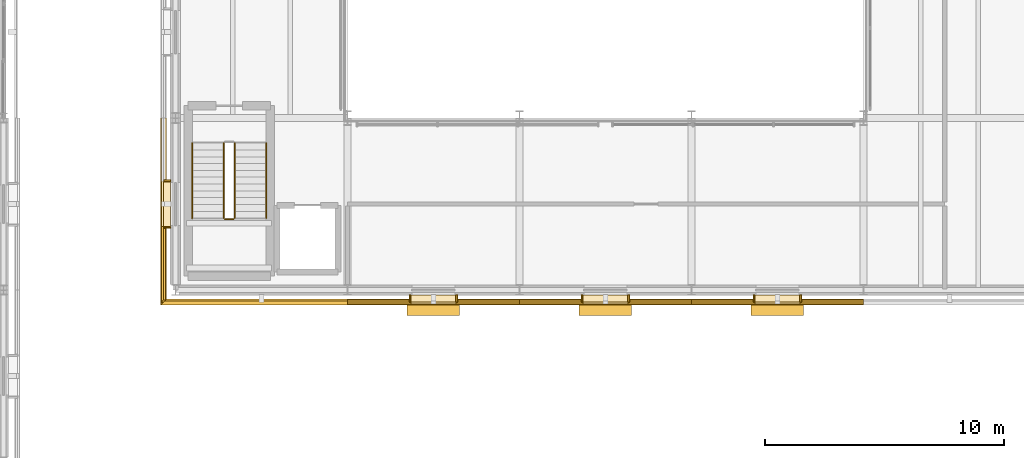
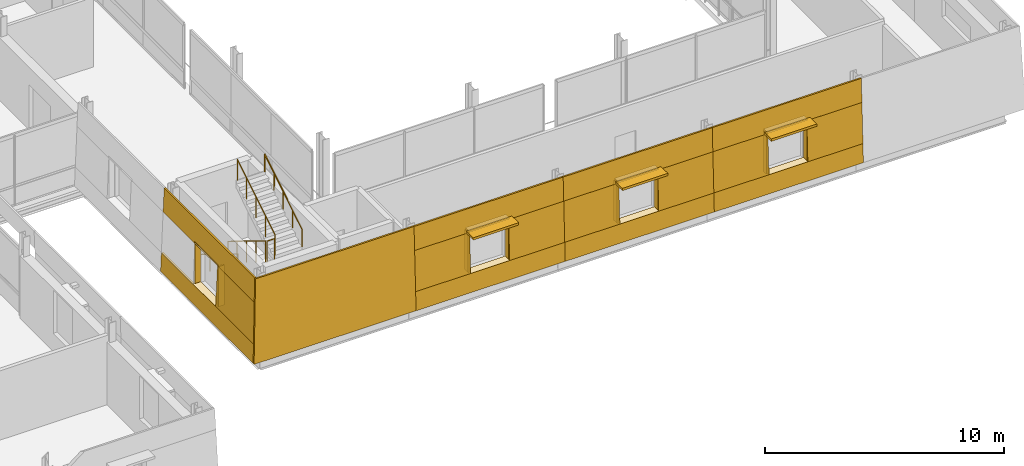
# One storey, part 98 of 115: 32 coverings, 5 railings, 3 shading devices.
"""IFC4 building model written with IfcOpenShell, lengths in metres."""

from ifc_helpers import new_model, si_unit, direction, frame, origin, origin_2d, place, context, subcontext, project, spatial, polyline, rectangle, circle, outline, extrude, material, layer, layer_set, type_object, element, save


model = new_model("IFC4")

# Units and contexts
model_context = context("Model", 3, precision=1e-05, world=origin(), true_north=direction((0.0, 1.0)))
body_context = subcontext(model_context, "Body", "Model", "MODEL_VIEW")
ifc_project = project(units=[si_unit("LENGTHUNIT", "METRE"), si_unit("AREAUNIT", "SQUARE_METRE"), si_unit("VOLUMEUNIT", "CUBIC_METRE"), si_unit("PLANEANGLEUNIT", "RADIAN"), si_unit("MASSUNIT", "GRAM", prefix="KILO")], contexts=[model_context])

# Site, building, storey
site_placement = place(None, origin())
site = spatial("IfcSite", under=ifc_project, at=site_placement, CompositionType="ELEMENT")
building_placement = place(site_placement, origin())
building = spatial("IfcBuilding", under=site, at=building_placement, Name="Narikvali Park Central Library", CompositionType="ELEMENT")
storey_placement = place(building_placement, frame((0.0, 0.0, 10.199951171875)))
storey = spatial("IfcBuildingStorey", under=building, at=storey_placement, Name="L02", CompositionType="ELEMENT", Elevation=10.199951171875)

# Coverings
ifc_material_1 = material(Name="White Honed Limestone Cladding", Category="masonry")
ifc_layer_1 = layer(ifc_material_1, 0.0849609375, Name="White Honed Limestone Cladding")
ifc_layer_set_1 = layer_set([ifc_layer_1], Name="White Honed Limestone Cladding")
covering_type_1 = type_object("IfcCoveringType", Name="Battered White Limestone Facade Cladding Panel", PredefinedType="CLADDING", material=ifc_layer_set_1)
covering_1_placement = place(storey_placement, frame((64.177490234375, 56.977294921875, 0.0), z_axis=(0.0, -0.999161325874, 0.040946854313), x_axis=(1.0, 0.0, 0.0)))
element("IfcCovering", 1, at=covering_1_placement, inside=storey, type_object=covering_type_1, Name="V1 L02 S Battered Limestone Panel B01", PredefinedType="CLADDING", context=body_context, shape_type="SweptSolid", body=[
    extrude(outline(polyline([(0.0, 0.0), (7.822509765625, 0.0), (7.822509765625, 4.203476518871453), (0.171875, 4.203476518871453), (0.0, 0.0)])), origin(), (0.0, 0.0, -1.0), 0.0849609375),
])
covering_2_placement = place(storey_placement, frame((72.0, 56.977294921875, 0.0), z_axis=(0.0, -0.999155621486, 0.041085813271), x_axis=(1.0, 0.0, 0.0)))
element("IfcCovering", 2, at=covering_2_placement, inside=storey, type_object=covering_type_1, Name="V1 L02 S Battered Limestone Spandrel B02", PredefinedType="CLADDING", context=body_context, shape_type="SweptSolid", body=[
    extrude(outline(polyline([(0.0, 0.0), (7.199951171875, 0.0), (7.199951171875, 0.9507539680973915), (0.0, 0.9507539680973915), (0.0, 0.0)])), origin(), (0.0, 0.0, -1.0), 0.0849609375),
])
covering_3_placement = place(storey_placement, frame((72.0, 57.10009765625, 3.0), z_axis=(0.0, -0.999156517748, 0.041064011513), x_axis=(1.0, 0.0, 0.0)))
element("IfcCovering", 3, at=covering_3_placement, inside=storey, type_object=covering_type_1, Name="V1 L02 S Battered Limestone Lintel B02", PredefinedType="CLADDING", context=body_context, shape_type="SweptSolid", body=[
    extrude(outline(polyline([(0.0, 0.0), (7.199951171875, 0.0), (7.199951171875, 1.2009641638323771), (0.0, 1.2009641638323771), (0.0, 0.0)])), origin(), (0.0, 0.0, -1.0), 0.0849609375),
])
for number, where, z_axis, x_axis, name in (
    (4, (72.0, 57.016357421875, 0.949951171875), (0.0, -0.999166766215, 0.040813886008), (1.0, 0.0, 0.0), "V1 L02 S Battered Limestone Jamb Pier L B02"),
    (5, (76.5400390625, 57.016357421875, 0.949951171875), (0.0, -0.999166766215, 0.040813886008), (1.0, 0.0, 0.0), "V1 L02 S Battered Limestone Jamb Pier R B02"),
):
    element("IfcCovering", number, at=place(storey_placement, frame(where, z_axis=z_axis, x_axis=x_axis)), inside=storey, type_object=covering_type_1, Name=name, PredefinedType="CLADDING", context=body_context, shape_type="SweptSolid", body=[
        extrude(outline(polyline([(0.0, 0.0), (2.659912109375, 0.0), (2.659912109375, 2.051758422560966), (0.0, 2.051758422560966), (0.0, 0.0)])), origin(), (0.0, 0.0, -1.0), 0.0849609375),
    ])
covering_4_placement = place(storey_placement, frame((79.199951171875, 56.977294921875, 0.0), z_axis=(0.0, -0.999155621486, 0.041085813271), x_axis=(1.0, 0.0, 0.0)))
element("IfcCovering", 6, at=covering_4_placement, inside=storey, type_object=covering_type_1, Name="V1 L02 S Battered Limestone Spandrel B03", PredefinedType="CLADDING", context=body_context, shape_type="SweptSolid", body=[
    extrude(outline(polyline([(0.0, 0.0), (7.199951171875, 0.0), (7.199951171875, 0.9507539680973915), (0.0, 0.9507539680973915), (0.0, 0.0)])), origin(), (0.0, 0.0, -1.0), 0.0849609375),
])
covering_5_placement = place(storey_placement, frame((79.199951171875, 57.10009765625, 3.0), z_axis=(0.0, -0.999156517748, 0.041064011513), x_axis=(1.0, 0.0, 0.0)))
element("IfcCovering", 7, at=covering_5_placement, inside=storey, type_object=covering_type_1, Name="V1 L02 S Battered Limestone Lintel B03", PredefinedType="CLADDING", context=body_context, shape_type="SweptSolid", body=[
    extrude(outline(polyline([(0.0, 0.0), (7.199951171875, 0.0), (7.199951171875, 1.2009641638323771), (0.0, 1.2009641638323771), (0.0, 0.0)])), origin(), (0.0, 0.0, -1.0), 0.0849609375),
])
covering_6_placement = place(storey_placement, frame((79.199951171875, 57.016357421875, 0.949951171875), z_axis=(0.0, -0.999166766215, 0.040813886008), x_axis=(1.0, 0.0, 0.0)))
element("IfcCovering", 8, at=covering_6_placement, inside=storey, type_object=covering_type_1, Name="V1 L02 S Battered Limestone Jamb Pier L B03", PredefinedType="CLADDING", context=body_context, shape_type="SweptSolid", body=[
    extrude(outline(polyline([(0.0, 0.0), (2.66015625, 0.0), (2.66015625, 2.0517584225609666), (0.0, 2.0517584225609666), (0.0, 0.0)])), origin(), (0.0, 0.0, -1.0), 0.0849609375),
])
covering_7_placement = place(storey_placement, frame((83.739990234375, 57.016357421875, 0.949951171875), z_axis=(0.0, -0.999166766215, 0.040813886008), x_axis=(1.0, 0.0, 0.0)))
element("IfcCovering", 9, at=covering_7_placement, inside=storey, type_object=covering_type_1, Name="V1 L02 S Battered Limestone Jamb Pier R B03", PredefinedType="CLADDING", context=body_context, shape_type="SweptSolid", body=[
    extrude(outline(polyline([(0.0, 0.0), (2.659912109375, 0.0), (2.659912109375, 2.051758422560966), (0.0, 2.051758422560966), (0.0, 0.0)])), origin(), (0.0, 0.0, -1.0), 0.0849609375),
])
covering_8_placement = place(storey_placement, frame((86.39990234375, 56.977294921875, 0.0), z_axis=(0.0, -0.999155621486, 0.041085813271), x_axis=(1.0, 0.0, 0.0)))
element("IfcCovering", 10, at=covering_8_placement, inside=storey, type_object=covering_type_1, Name="V1 L02 S Battered Limestone Spandrel B04", PredefinedType="CLADDING", context=body_context, shape_type="SweptSolid", body=[
    extrude(outline(polyline([(0.0, 0.0), (7.2001953125, 0.0), (7.2001953125, 0.9507539680973914), (0.0, 0.9507539680973914), (0.0, 0.0)])), origin(), (0.0, 0.0, -1.0), 0.0849609375),
])
covering_9_placement = place(storey_placement, frame((86.39990234375, 57.10009765625, 3.0), z_axis=(0.0, -0.999156517748, 0.041064011513), x_axis=(1.0, 0.0, 0.0)))
element("IfcCovering", 11, at=covering_9_placement, inside=storey, type_object=covering_type_1, Name="V1 L02 S Battered Limestone Lintel B04", PredefinedType="CLADDING", context=body_context, shape_type="SweptSolid", body=[
    extrude(outline(polyline([(0.0, 0.0), (7.2001953125, 0.0), (7.2001953125, 1.2009641638323774), (0.0, 1.2009641638323774), (0.0, 0.0)])), origin(), (0.0, 0.0, -1.0), 0.0849609375),
])
for number, where, z_axis, x_axis, name in (
    (12, (86.39990234375, 57.016357421875, 0.949951171875), (0.0, -0.999166766215, 0.040813886008), (1.0, 0.0, 0.0), "V1 L02 S Battered Limestone Jamb Pier L B04"),
    (13, (90.93994140625, 57.016357421875, 0.949951171875), (0.0, -0.999166766215, 0.040813886008), (1.0, 0.0, 0.0), "V1 L02 S Battered Limestone Jamb Pier R B04"),
):
    element("IfcCovering", number, at=place(storey_placement, frame(where, z_axis=z_axis, x_axis=x_axis)), inside=storey, type_object=covering_type_1, Name=name, PredefinedType="CLADDING", context=body_context, shape_type="SweptSolid", body=[
        extrude(outline(polyline([(0.0, 0.0), (2.66015625, 0.0), (2.66015625, 2.0517584225609666), (0.0, 2.0517584225609666), (0.0, 0.0)])), origin(), (0.0, 0.0, -1.0), 0.0849609375),
    ])
covering_10_placement = place(storey_placement, frame((64.177490234375, 64.800048828125, 0.0), z_axis=(-0.999166130077, 0.0, 0.040829456356), x_axis=(0.0, -1.0, 0.0)))
element("IfcCovering", 14, at=covering_10_placement, inside=storey, type_object=covering_type_1, Name="V1 L02 W Battered Limestone Spandrel B05", PredefinedType="CLADDING", context=body_context, shape_type="SweptSolid", body=[
    extrude(outline(polyline([(0.0, 0.0), (7.737548828125, 0.0), (7.69873046875, 0.950743968674665), (0.0, 0.950743968674665), (0.0, 0.0)])), origin(), (0.0, 0.0, -1.0), 0.0849609375),
])
covering_11_placement = place(storey_placement, frame((64.30029296875, 64.800048828125, 3.0), z_axis=(-0.999164837953, 0.0, 0.040861064584), x_axis=(0.0, -1.0, 0.0)))
element("IfcCovering", 15, at=covering_11_placement, inside=storey, type_object=covering_type_1, Name="V1 L02 W Battered Limestone Lintel B05", PredefinedType="CLADDING", context=body_context, shape_type="SweptSolid", body=[
    extrude(outline(polyline([(0.0, 0.0), (7.61474609375, 0.0), (7.565673828125, 1.2009541632126333), (0.0, 1.2009541632126333), (0.0, 0.0)])), origin(), (0.0, 0.0, -1.0), 0.0849609375),
])
covering_12_placement = place(storey_placement, frame((64.21630859375, 60.260009765625, 0.949951171875), z_axis=(-0.999161906742, 0.0, 0.040932677852), x_axis=(0.0, -1.0, 0.0)))
element("IfcCovering", 16, at=covering_12_placement, inside=storey, type_object=covering_type_1, Name="V1 L02 W Battered Limestone Jamb Pier R B05", PredefinedType="CLADDING", context=body_context, shape_type="SweptSolid", body=[
    extrude(outline(polyline([(0.0, 0.0), (3.15869140625, 0.0), (3.07470703125, 2.051768401389598), (0.0, 2.051768401389598), (0.0, 0.0)])), origin(), (0.0, 0.0, -1.0), 0.0849609375),
])

# Shading devices
ifc_material_2 = material(Name="Anodised Bronze Aluminium", Category="aluminium")
ifc_layer_2 = layer(ifc_material_2, 0.1201171875, Name="Anodised Bronze Aluminium")
ifc_layer_set_2 = layer_set([ifc_layer_2], Name="Anodised Bronze Aluminium")
shading_device_type = type_object("IfcShadingDeviceType", Name="Bronze Classical Cornice Sun Brise-Soleil 650", PredefinedType="SHUTTER", material=ifc_layer_set_2)
for number, where, z_axis, x_axis, name in (
    (17, (75.60009765625, 56.860107421875, 3.0), (0.0, 0.0, 1.0), (1.0, 0.0, 0.0), "V1 L02 Classical Bronze Brise-Soleil 02"),
    (18, (82.800048828125, 56.860107421875, 3.0), (0.0, 0.0, 1.0), (1.0, 0.0, 0.0), "V1 L02 Classical Bronze Brise-Soleil 03"),
    (19, (90.0, 56.860107421875, 3.0), (0.0, 0.0, 1.0), (1.0, 0.0, 0.0), "V1 L02 Classical Bronze Brise-Soleil 04"),
):
    element("IfcShadingDevice", number, at=place(storey_placement, frame(where, z_axis=z_axis, x_axis=x_axis)), inside=storey, type_object=shading_device_type, Name=name, PredefinedType="SHUTTER", context=body_context, shape_type="SweptSolid", body=[
        extrude(rectangle(XDim=2.199951171875, YDim=0.64990234375, at=origin_2d()), origin(), (0.0, 0.0, 1.0), 0.1201171875),
    ])

# Coverings
ifc_layer_3 = layer(ifc_material_1, 0.080078125, Name="White Honed Limestone Cladding")
ifc_layer_set_3 = layer_set([ifc_layer_3], Name="White Honed Limestone Cladding")
covering_type_2 = type_object("IfcCoveringType", Name="Deep Carved White Limestone Window Reveal", PredefinedType="CLADDING", material=ifc_layer_set_3)
covering_13_placement = place(storey_placement, frame((0.0, 0.0, 3.0)))
element("IfcCovering", 20, at=covering_13_placement, inside=storey, type_object=covering_type_2, Name="Deep Stone Reveal Head V1-RVL-L02-S-B02", PredefinedType="CLADDING", context=body_context, shape_type="SweptSolid", body=[
    extrude(outline(polyline([(74.6201171875, 57.39501953125), (76.580078125, 57.39501953125), (76.580078125, 57.10009765625), (74.6201171875, 57.10009765625), (74.6201171875, 57.39501953125)])), origin(), (0.0, 0.0, 1.0), 0.080078125),
])
covering_14_placement = place(storey_placement, frame((0.0, 0.0, 0.8701171875)))
element("IfcCovering", 21, at=covering_14_placement, inside=storey, type_object=covering_type_2, Name="Deep Stone Reveal Sill V1-RVL-L02-S-B02", PredefinedType="CLADDING", context=body_context, shape_type="SweptSolid", body=[
    extrude(outline(polyline([(74.6201171875, 57.39501953125), (76.580078125, 57.39501953125), (76.580078125, 57.016357421875), (74.6201171875, 57.016357421875), (74.6201171875, 57.39501953125)])), origin(), (0.0, 0.0, 1.0), 0.079833984375),
])
covering_15_placement = place(storey_placement, frame((0.0, 0.0, 0.949951171875)))
element("IfcCovering", 22, at=covering_15_placement, inside=storey, type_object=covering_type_2, Name="Deep Stone Reveal Jamb L V1-RVL-L02-S-B02", PredefinedType="CLADDING", context=body_context, shape_type="SweptSolid", body=[
    extrude(outline(polyline([(74.580078125, 57.39501953125), (74.659912109375, 57.39501953125), (74.659912109375, 57.10009765625), (74.580078125, 57.10009765625), (74.580078125, 57.39501953125)])), origin(), (0.0, 0.0, 1.0), 2.050048828125),
])
covering_16_placement = place(storey_placement, frame((0.0, 0.0, 0.949951171875)))
element("IfcCovering", 23, at=covering_16_placement, inside=storey, type_object=covering_type_2, Name="Deep Stone Reveal Jamb R V1-RVL-L02-S-B02", PredefinedType="CLADDING", context=body_context, shape_type="SweptSolid", body=[
    extrude(outline(polyline([(76.5400390625, 57.39501953125), (76.6201171875, 57.39501953125), (76.6201171875, 57.10009765625), (76.5400390625, 57.10009765625), (76.5400390625, 57.39501953125)])), origin(), (0.0, 0.0, 1.0), 2.050048828125),
])
covering_17_placement = place(storey_placement, frame((0.0, 0.0, 3.0)))
element("IfcCovering", 24, at=covering_17_placement, inside=storey, type_object=covering_type_2, Name="Deep Stone Reveal Head V1-RVL-L02-S-B03", PredefinedType="CLADDING", context=body_context, shape_type="SweptSolid", body=[
    extrude(outline(polyline([(81.820068359375, 57.39501953125), (83.780029296875, 57.39501953125), (83.780029296875, 57.10009765625), (81.820068359375, 57.10009765625), (81.820068359375, 57.39501953125)])), origin(), (0.0, 0.0, 1.0), 0.080078125),
])
covering_18_placement = place(storey_placement, frame((0.0, 0.0, 0.8701171875)))
element("IfcCovering", 25, at=covering_18_placement, inside=storey, type_object=covering_type_2, Name="Deep Stone Reveal Sill V1-RVL-L02-S-B03", PredefinedType="CLADDING", context=body_context, shape_type="SweptSolid", body=[
    extrude(outline(polyline([(81.820068359375, 57.39501953125), (83.780029296875, 57.39501953125), (83.780029296875, 57.016357421875), (81.820068359375, 57.016357421875), (81.820068359375, 57.39501953125)])), origin(), (0.0, 0.0, 1.0), 0.079833984375),
])
covering_19_placement = place(storey_placement, frame((0.0, 0.0, 0.949951171875)))
element("IfcCovering", 26, at=covering_19_placement, inside=storey, type_object=covering_type_2, Name="Deep Stone Reveal Jamb L V1-RVL-L02-S-B03", PredefinedType="CLADDING", context=body_context, shape_type="SweptSolid", body=[
    extrude(outline(polyline([(81.780029296875, 57.39501953125), (81.860107421875, 57.39501953125), (81.860107421875, 57.10009765625), (81.780029296875, 57.10009765625), (81.780029296875, 57.39501953125)])), origin(), (0.0, 0.0, 1.0), 2.050048828125),
])
covering_20_placement = place(storey_placement, frame((0.0, 0.0, 0.949951171875)))
element("IfcCovering", 27, at=covering_20_placement, inside=storey, type_object=covering_type_2, Name="Deep Stone Reveal Jamb R V1-RVL-L02-S-B03", PredefinedType="CLADDING", context=body_context, shape_type="SweptSolid", body=[
    extrude(outline(polyline([(83.739990234375, 57.39501953125), (83.820068359375, 57.39501953125), (83.820068359375, 57.10009765625), (83.739990234375, 57.10009765625), (83.739990234375, 57.39501953125)])), origin(), (0.0, 0.0, 1.0), 2.050048828125),
])
covering_21_placement = place(storey_placement, frame((0.0, 0.0, 3.0)))
element("IfcCovering", 28, at=covering_21_placement, inside=storey, type_object=covering_type_2, Name="Deep Stone Reveal Head V1-RVL-L02-S-B04", PredefinedType="CLADDING", context=body_context, shape_type="SweptSolid", body=[
    extrude(outline(polyline([(89.02001953125, 57.39501953125), (90.97998046875, 57.39501953125), (90.97998046875, 57.10009765625), (89.02001953125, 57.10009765625), (89.02001953125, 57.39501953125)])), origin(), (0.0, 0.0, 1.0), 0.080078125),
])
covering_22_placement = place(storey_placement, frame((0.0, 0.0, 0.8701171875)))
element("IfcCovering", 29, at=covering_22_placement, inside=storey, type_object=covering_type_2, Name="Deep Stone Reveal Sill V1-RVL-L02-S-B04", PredefinedType="CLADDING", context=body_context, shape_type="SweptSolid", body=[
    extrude(outline(polyline([(89.02001953125, 57.39501953125), (90.97998046875, 57.39501953125), (90.97998046875, 57.016357421875), (89.02001953125, 57.016357421875), (89.02001953125, 57.39501953125)])), origin(), (0.0, 0.0, 1.0), 0.079833984375),
])
covering_23_placement = place(storey_placement, frame((0.0, 0.0, 0.949951171875)))
element("IfcCovering", 30, at=covering_23_placement, inside=storey, type_object=covering_type_2, Name="Deep Stone Reveal Jamb L V1-RVL-L02-S-B04", PredefinedType="CLADDING", context=body_context, shape_type="SweptSolid", body=[
    extrude(outline(polyline([(88.97998046875, 57.39501953125), (89.06005859375, 57.39501953125), (89.06005859375, 57.10009765625), (88.97998046875, 57.10009765625), (88.97998046875, 57.39501953125)])), origin(), (0.0, 0.0, 1.0), 2.050048828125),
])
covering_24_placement = place(storey_placement, frame((0.0, 0.0, 0.949951171875)))
element("IfcCovering", 31, at=covering_24_placement, inside=storey, type_object=covering_type_2, Name="Deep Stone Reveal Jamb R V1-RVL-L02-S-B04", PredefinedType="CLADDING", context=body_context, shape_type="SweptSolid", body=[
    extrude(outline(polyline([(90.93994140625, 57.39501953125), (91.02001953125, 57.39501953125), (91.02001953125, 57.10009765625), (90.93994140625, 57.10009765625), (90.93994140625, 57.39501953125)])), origin(), (0.0, 0.0, 1.0), 2.050048828125),
])
covering_25_placement = place(storey_placement, frame((0.0, 0.0, 3.0)))
element("IfcCovering", 32, at=covering_25_placement, inside=storey, type_object=covering_type_2, Name="Deep Stone Reveal Head V1-RVL-L02-W-B05", PredefinedType="CLADDING", context=body_context, shape_type="SweptSolid", body=[
    extrude(outline(polyline([(64.594970703125, 62.179931640625), (64.594970703125, 60.219970703125), (64.30029296875, 60.219970703125), (64.30029296875, 62.179931640625), (64.594970703125, 62.179931640625)])), origin(), (0.0, 0.0, 1.0), 0.080078125),
])
covering_26_placement = place(storey_placement, frame((0.0, 0.0, 0.8701171875)))
element("IfcCovering", 33, at=covering_26_placement, inside=storey, type_object=covering_type_2, Name="Deep Stone Reveal Sill V1-RVL-L02-W-B05", PredefinedType="CLADDING", context=body_context, shape_type="SweptSolid", body=[
    extrude(outline(polyline([(64.594970703125, 62.179931640625), (64.594970703125, 60.219970703125), (64.21630859375, 60.219970703125), (64.21630859375, 62.179931640625), (64.594970703125, 62.179931640625)])), origin(), (0.0, 0.0, 1.0), 0.079833984375),
])
covering_27_placement = place(storey_placement, frame((0.0, 0.0, 0.949951171875)))
element("IfcCovering", 34, at=covering_27_placement, inside=storey, type_object=covering_type_2, Name="Deep Stone Reveal Jamb L V1-RVL-L02-W-B05", PredefinedType="CLADDING", context=body_context, shape_type="SweptSolid", body=[
    extrude(outline(polyline([(64.594970703125, 62.219970703125), (64.594970703125, 62.139892578125), (64.30029296875, 62.139892578125), (64.30029296875, 62.219970703125), (64.594970703125, 62.219970703125)])), origin(), (0.0, 0.0, 1.0), 2.050048828125),
])
covering_28_placement = place(storey_placement, frame((0.0, 0.0, 0.949951171875)))
element("IfcCovering", 35, at=covering_28_placement, inside=storey, type_object=covering_type_2, Name="Deep Stone Reveal Jamb R V1-RVL-L02-W-B05", PredefinedType="CLADDING", context=body_context, shape_type="SweptSolid", body=[
    extrude(outline(polyline([(64.594970703125, 60.260009765625), (64.594970703125, 60.179931640625), (64.30029296875, 60.179931640625), (64.30029296875, 60.260009765625), (64.594970703125, 60.260009765625)])), origin(), (0.0, 0.0, 1.0), 2.050048828125),
])

# Railings
ifc_material_3 = material(Name="Brushed Stainless Steel S355", Category="steel")
ifc_layer_4 = layer(ifc_material_3, 0.044921875, Name="Brushed Stainless Steel S355")
ifc_layer_set_4 = layer_set([ifc_layer_4], Name="Brushed Stainless Steel S355")
railing_type_1 = type_object("IfcRailingType", Name="Stair Tubular Steel Handrail 900", PredefinedType="HANDRAIL", material=ifc_layer_set_4)
railing_1_placement = place(storey_placement, frame((65.5, 63.75, 0.175048828125)))
element("IfcRailing", 36, at=railing_1_placement, inside=storey, type_object=railing_type_1, Name="L02 ST-01 stair handrail 1", PredefinedType="HANDRAIL", context=body_context, shape_type="SweptSolid", body=[
    extrude(circle(Radius=0.02392578125, at=origin_2d()), frame((0.0, 0.0, 0.8759765625), z_axis=(0.0, -0.852166034122, 0.523271488128), x_axis=(1.0, 0.0, 0.0)), (0.0, 0.0, 1.0), 3.678955078125),
    extrude(circle(Radius=0.02099609375, at=origin_2d()), origin(), (0.0, 0.0, 1.0), 0.851806640625),
    extrude(circle(Radius=0.02099609375, at=origin_2d()), frame((0.0, -0.78369140625, 0.481201171875)), (0.0, 0.0, 1.0), 0.851806640625),
    extrude(circle(Radius=0.02099609375, at=origin_2d()), frame((0.0, -1.5673828125, 0.96240234375)), (0.0, 0.0, 1.0), 0.851806640625),
    extrude(circle(Radius=0.02099609375, at=origin_2d()), frame((0.0, -2.351318359375, 1.44384765625)), (0.0, 0.0, 1.0), 0.851806640625),
    extrude(circle(Radius=0.02099609375, at=origin_2d()), frame((0.0, -3.135009765625, 1.925048828125)), (0.0, 0.0, 1.0), 0.851806640625),
])
railing_2_placement = place(storey_placement, frame((68.60009765625, 60.614990234375, 2.275146484375)))
element("IfcRailing", 37, at=railing_2_placement, inside=storey, type_object=railing_type_1, Name="L02 ST-01 stair handrail 2", PredefinedType="HANDRAIL", context=body_context, shape_type="SweptSolid", body=[
    extrude(circle(Radius=0.02392578125, at=origin_2d()), frame((0.0, 0.0, 0.8759765625), z_axis=(0.0, 0.852195625947, 0.523223293744), x_axis=(-1.0, 0.0, 0.0)), (0.0, 0.0, 1.0), 3.6787109375),
    extrude(circle(Radius=0.02099609375, at=origin_2d()), origin(), (0.0, 0.0, 1.0), 0.851806640625),
    extrude(circle(Radius=0.02099609375, at=origin_2d()), frame((0.0, 0.78369140625, 0.481201171875)), (0.0, 0.0, 1.0), 0.851806640625),
    extrude(circle(Radius=0.02099609375, at=origin_2d()), frame((0.0, 1.5673828125, 0.96240234375)), (0.0, 0.0, 1.0), 0.851806640625),
    extrude(circle(Radius=0.02099609375, at=origin_2d()), frame((0.0, 2.351318359375, 1.443603515625)), (0.0, 0.0, 1.0), 0.851806640625),
    extrude(circle(Radius=0.02099609375, at=origin_2d()), frame((0.0, 3.135009765625, 1.9248046875)), (0.0, 0.0, 1.0), 0.851806640625),
])
ifc_material_4 = material(Name="Powder-Coated Steel S275", Category="steel")
ifc_layer_5 = layer(ifc_material_4, 0.050048828125, Name="Powder-Coated Steel S275")
ifc_layer_set_5 = layer_set([ifc_layer_5], Name="Powder-Coated Steel S275")
railing_type_2 = type_object("IfcRailingType", Name="Stair Well Steel Guardrail 1100", PredefinedType="GUARDRAIL", material=ifc_layer_set_5)
railing_3_placement = place(storey_placement, frame((66.820068359375, 63.75, 0.175048828125)))
element("IfcRailing", 38, at=railing_3_placement, inside=storey, type_object=railing_type_2, Name="L02 ST-01 stair guard 1", PredefinedType="GUARDRAIL", context=body_context, shape_type="SweptSolid", body=[
    extrude(circle(Radius=0.02392578125, at=origin_2d()), frame((0.0, 0.0, 1.076171875), z_axis=(0.0, -0.852166034122, 0.523271488128), x_axis=(1.0, 0.0, 0.0)), (0.0, 0.0, 1.0), 3.678955078125),
    extrude(circle(Radius=0.02099609375, at=origin_2d()), origin(), (0.0, 0.0, 1.0), 1.052001953125),
    extrude(circle(Radius=0.02099609375, at=origin_2d()), frame((0.0, -0.78369140625, 0.481201171875)), (0.0, 0.0, 1.0), 1.052001953125),
    extrude(circle(Radius=0.02099609375, at=origin_2d()), frame((0.0, -1.5673828125, 0.96240234375)), (0.0, 0.0, 1.0), 1.052001953125),
    extrude(circle(Radius=0.02099609375, at=origin_2d()), frame((0.0, -2.351318359375, 1.44384765625)), (0.0, 0.0, 1.0), 1.052001953125),
    extrude(circle(Radius=0.02099609375, at=origin_2d()), frame((0.0, -3.135009765625, 1.925048828125)), (0.0, 0.0, 1.0), 1.052001953125),
])
railing_4_placement = place(storey_placement, frame((66.8701171875, 60.56494140625, 2.10009765625)))
element("IfcRailing", 39, at=railing_4_placement, inside=storey, type_object=railing_type_2, Name="L02 ST-01 stair guard 2", PredefinedType="GUARDRAIL", context=body_context, shape_type="SweptSolid", body=[
    extrude(circle(Radius=0.02392578125, at=origin_2d()), frame((0.0, 0.0, 1.076171875), z_axis=(1.0, 0.0, 0.0), x_axis=(0.0, 1.0, 0.0)), (0.0, 0.0, 1.0), 0.35986328125),
    extrude(circle(Radius=0.02099609375, at=origin_2d()), origin(), (0.0, 0.0, 1.0), 1.052001953125),
    extrude(circle(Radius=0.02099609375, at=origin_2d()), frame((0.35986328125, 0.0, 0.0)), (0.0, 0.0, 1.0), 1.052001953125),
])
railing_5_placement = place(storey_placement, frame((67.280029296875, 60.614990234375, 2.275146484375)))
element("IfcRailing", 40, at=railing_5_placement, inside=storey, type_object=railing_type_2, Name="L02 ST-01 stair guard 3", PredefinedType="GUARDRAIL", context=body_context, shape_type="SweptSolid", body=[
    extrude(circle(Radius=0.02392578125, at=origin_2d()), frame((0.0, 0.0, 1.076171875), z_axis=(0.0, 0.852195625947, 0.523223293744), x_axis=(-1.0, 0.0, 0.0)), (0.0, 0.0, 1.0), 3.6787109375),
    extrude(circle(Radius=0.02099609375, at=origin_2d()), origin(), (0.0, 0.0, 1.0), 1.052001953125),
    extrude(circle(Radius=0.02099609375, at=origin_2d()), frame((0.0, 0.78369140625, 0.481201171875)), (0.0, 0.0, 1.0), 1.052001953125),
    extrude(circle(Radius=0.02099609375, at=origin_2d()), frame((0.0, 1.5673828125, 0.96240234375)), (0.0, 0.0, 1.0), 1.052001953125),
    extrude(circle(Radius=0.02099609375, at=origin_2d()), frame((0.0, 2.351318359375, 1.443603515625)), (0.0, 0.0, 1.0), 1.052001953125),
    extrude(circle(Radius=0.02099609375, at=origin_2d()), frame((0.0, 3.135009765625, 1.9248046875)), (0.0, 0.0, 1.0), 1.052001953125),
])

save(model, "model.ifc")
